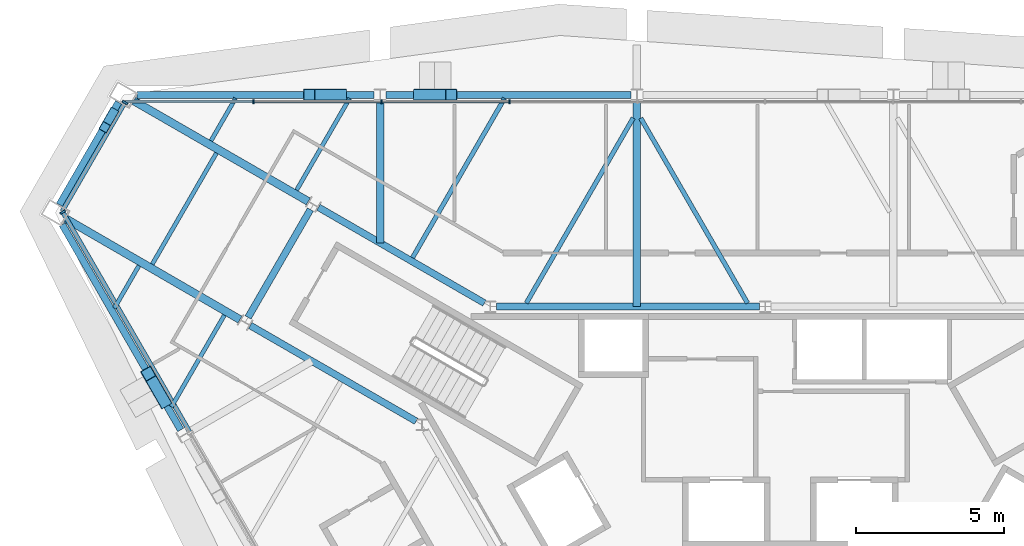
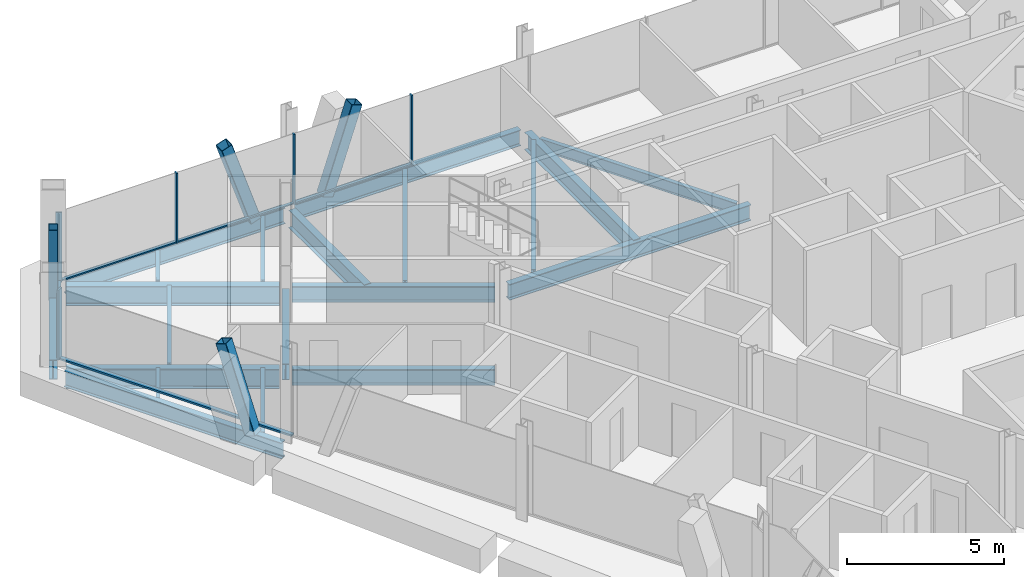
# One storey, part 5 of 13: 20 beams, 14 members, 3 elements without a shape of their own.
"""IFC4 building model written with IfcOpenShell, lengths in metres."""

from ifc_helpers import new_model, si_unit, direction, frame, origin, origin_2d, place, context, subcontext, project, spatial, rectangle, hollow_rectangle, i_section, extrude, material, material_profile, profile_set, type_object, element, aggregate, save


model = new_model("IFC4")

# Units and contexts
model_context = context("Model", 3, precision=1e-05, world=origin(), true_north=direction((0.0, 1.0)))
body_context = subcontext(model_context, "Body", "Model", "MODEL_VIEW")
ifc_project = project(units=[si_unit("LENGTHUNIT", "METRE"), si_unit("AREAUNIT", "SQUARE_METRE"), si_unit("VOLUMEUNIT", "CUBIC_METRE"), si_unit("PLANEANGLEUNIT", "RADIAN"), si_unit("MASSUNIT", "GRAM", prefix="KILO")], contexts=[model_context])

# Site, building, storey
site_placement = place(None, origin())
site = spatial("IfcSite", under=ifc_project, at=site_placement, CompositionType="ELEMENT")
building_placement = place(site_placement, origin())
building = spatial("IfcBuilding", under=site, at=building_placement, Name="Verrane Prism Tower", CompositionType="ELEMENT")
storey_placement = place(building_placement, frame((0.0, 0.0, 210.10009765625)))
storey = spatial("IfcBuildingStorey", under=building, at=storey_placement, Name="L52", CompositionType="ELEMENT", Elevation=210.10009765625)

# Member
ifc_material_1 = material(Name="Steel A500 Grade C", Category="steel")
ifc_material_profile_1 = material_profile(ifc_material_1, hollow_rectangle(XDim=0.3046875, YDim=0.3046875, WallThickness=0.0126953125, InnerFilletRadius=0.00634765625, OuterFilletRadius=0.01904296875, at=origin_2d()), Name="HSS12x12x1/2")
ifc_profile_set_1 = profile_set([ifc_material_profile_1], Name="Steel A500 Grade C")
member_type_1 = type_object("IfcMemberType", Name="Chamfer brace HSS12x12x1/2", PredefinedType="BRACE", material=ifc_profile_set_1)
member_1_placement = place(storey_placement, frame((-21.973388671875, 14.517578125, -0.24267578125), z_axis=(-0.087014926733, -0.150980566208, 0.984699584215), x_axis=(0.866407182577, -0.499338155942, 0.0)))
element("IfcMember", 1, at=member_1_placement, inside=storey, type_object=member_type_1, Name="Chamfer brace NW0 L52", PredefinedType="BRACE", context=body_context, shape_type="SweptSolid", body=[
    extrude(hollow_rectangle(XDim=0.3046875, YDim=0.3046875, WallThickness=0.0126953125, InnerFilletRadius=0.00634765625, OuterFilletRadius=0.01904296875, at=origin_2d()), origin(), (0.0, 0.0, 1.0), 3.156494140625),
])

# Beams
ifc_material_2 = material(Name="Steel A992", Category="steel")
ifc_material_profile_2 = material_profile(ifc_material_2, i_section(OverallWidth=0.2666015625, OverallDepth=0.7568359375, WebThickness=0.013916015625, FlangeThickness=0.019287109375, FilletRadius=0.0166015625, at=origin_2d()), Name="W30x108")
ifc_profile_set_2 = profile_set([ifc_material_profile_2], Name="Steel A992")
beam_type_1 = type_object("IfcBeamType", Name="Chamfer spandrel beam W30x108", PredefinedType="SPANDREL", material=ifc_profile_set_2)
beam_1_placement = place(storey_placement, frame((-21.77001953125, 14.8701171875, -0.53857421875), z_axis=(-0.499626934201, -0.866240686311, 0.0), x_axis=(0.866240686311, -0.499626934201, 0.0)))
element("IfcBeam", 2, at=beam_1_placement, inside=storey, type_object=beam_type_1, Name="Chamfer spandrel beam L52", PredefinedType="SPANDREL", context=body_context, shape_type="SweptSolid", body=[
    extrude(i_section(OverallWidth=0.2666015625, OverallDepth=0.7568359375, WebThickness=0.013916015625, FlangeThickness=0.019287109375, FilletRadius=0.0166015625, at=origin_2d()), origin(), (0.0, 0.0, 1.0), 3.98291015625),
])
ifc_material_3 = material(Name="Steel A992", Category="steel")
ifc_material_profile_3 = material_profile(ifc_material_3, i_section(OverallWidth=0.23046875, OverallDepth=0.6171875, WebThickness=0.01318359375, FlangeThickness=0.022216796875, FilletRadius=0.012939453125, at=origin_2d()), Name="W24x94")
ifc_profile_set_3 = profile_set([ifc_material_profile_3], Name="Steel A992")
beam_type_2 = type_object("IfcBeamType", Name="Core ring girder W24x94", PredefinedType="BEAM", material=ifc_profile_set_3)
beam_2_placement = place(storey_placement, frame((-0.199462890625, 8.0, -0.55859375), z_axis=(-1.0, 0.0, 0.0), x_axis=(0.0, -1.0, 0.0)))
element("IfcBeam", 3, at=beam_2_placement, inside=storey, type_object=beam_type_2, Name="Core ring girder L52", PredefinedType="BEAM", context=body_context, shape_type="SweptSolid", body=[
    extrude(i_section(OverallWidth=0.23046875, OverallDepth=0.6171875, WebThickness=0.01318359375, FlangeThickness=0.022216796875, FilletRadius=0.012939453125, at=origin_2d()), origin(), (0.0, 0.0, 1.0), 8.861083984375),
])
beam_3_placement = place(storey_placement, frame((-9.45947265625, 8.114990234375, -0.55859375), z_axis=(-0.866080992722, 0.499903704773, 0.0), x_axis=(-0.499903704773, -0.866080992722, 0.0)))
element("IfcBeam", 4, at=beam_3_placement, inside=storey, type_object=beam_type_2, Name="Core ring girder L52", PredefinedType="BEAM", context=body_context, shape_type="SweptSolid", body=[
    extrude(i_section(OverallWidth=0.23046875, OverallDepth=0.6171875, WebThickness=0.01318359375, FlangeThickness=0.022216796875, FilletRadius=0.012939453125, at=origin_2d()), origin(), (0.0, 0.0, 1.0), 6.451904296875),
])
beam_4_placement = place(storey_placement, frame((-15.3203125, 11.266357421875, -0.55859375), z_axis=(-0.500375511519, -0.865808493532, 0.0), x_axis=(0.865808493532, -0.500375511519, 0.0)))
element("IfcBeam", 5, at=beam_4_placement, inside=storey, type_object=beam_type_2, Name="Core ring girder L52", PredefinedType="BEAM", context=body_context, shape_type="SweptSolid", body=[
    extrude(i_section(OverallWidth=0.23046875, OverallDepth=0.6171875, WebThickness=0.01318359375, FlangeThickness=0.022216796875, FilletRadius=0.012939453125, at=origin_2d()), origin(), (0.0, 0.0, 1.0), 4.195556640625),
])
beam_5_placement = place(storey_placement, frame((-17.347412109375, 7.3603515625, -0.55859375), z_axis=(0.866080992722, -0.499903704773, 0.0), x_axis=(0.499903704773, 0.866080992722, 0.0)))
element("IfcBeam", 6, at=beam_5_placement, inside=storey, type_object=beam_type_2, Name="Core ring girder L52", PredefinedType="BEAM", context=body_context, shape_type="SweptSolid", body=[
    extrude(i_section(OverallWidth=0.23046875, OverallDepth=0.6171875, WebThickness=0.01318359375, FlangeThickness=0.022216796875, FilletRadius=0.012939453125, at=origin_2d()), origin(), (0.0, 0.0, 1.0), 6.451904296875),
])
ifc_material_4 = material(Name="Steel A992", Category="steel")
ifc_material_profile_4 = material_profile(ifc_material_4, i_section(OverallWidth=0.2666015625, OverallDepth=0.76708984375, WebThickness=0.014892578125, FlangeThickness=0.023681640625, FilletRadius=0.0166015625, at=origin_2d()), Name="W30x124")
ifc_profile_set_4 = profile_set([ifc_material_profile_4], Name="Steel A992")
beam_type_3 = type_object("IfcBeamType", Name="Corner girder W30x124", PredefinedType="BEAM", material=ifc_profile_set_4)
beam_6_placement = place(storey_placement, frame((-21.2734375, 14.93017578125, -0.603515625), z_axis=(0.866324462832, -0.499481656419, 0.0), x_axis=(0.499481656419, 0.866324462832, 0.0)))
element("IfcBeam", 7, at=beam_6_placement, inside=storey, type_object=beam_type_3, Name="Corner girder L52", PredefinedType="BEAM", context=body_context, shape_type="SweptSolid", body=[
    extrude(i_section(OverallWidth=0.2666015625, OverallDepth=0.76708984375, WebThickness=0.014892578125, FlangeThickness=0.023681640625, FilletRadius=0.0166015625, at=origin_2d()), origin(), (0.0, 0.0, 1.0), 6.788330078125),
])
beam_7_placement = place(storey_placement, frame((-23.563720703125, 10.959716796875, -0.603515625), z_axis=(0.865372078644, -0.501129888855, 0.0), x_axis=(0.501129888855, 0.865372078644, 0.0)))
element("IfcBeam", 8, at=beam_7_placement, inside=storey, type_object=beam_type_3, Name="Corner girder L52", PredefinedType="BEAM", context=body_context, shape_type="SweptSolid", body=[
    extrude(i_section(OverallWidth=0.2666015625, OverallDepth=0.76708984375, WebThickness=0.014892578125, FlangeThickness=0.023681640625, FilletRadius=0.0166015625, at=origin_2d()), origin(), (0.0, 0.0, 1.0), 6.784423828125),
])

# Members
ifc_material_5 = material(Name="Steel A500 Grade C", Category="steel")
ifc_material_profile_5 = material_profile(ifc_material_5, hollow_rectangle(XDim=0.406494140625, YDim=0.406494140625, WallThickness=0.01904296875, InnerFilletRadius=0.009521484375, OuterFilletRadius=0.028564453125, at=origin_2d()), Name="HSS16x16x3/4")
ifc_profile_set_5 = profile_set([ifc_material_profile_5], Name="Steel A500 Grade C")
member_type_2 = type_object("IfcMemberType", Name="Facade brace HSS16x16x3/4", PredefinedType="BRACE", material=ifc_profile_set_5)
for number, where, z_axis, x_axis, name in (
    (9, (-11.650146484375, 15.1298828125, -0.216796875), (0.316749354845, 0.0, 0.948509275761), (0.0, 1.0, 0.0), "Facade brace N3 L52"),
    (10, (-14.289794921875, 15.1298828125, -0.216796875), (-0.316814533261, 0.0, 0.948487507306), (0.0, -1.0, 0.0), "Facade brace N4 L52"),
):
    element("IfcMember", number, at=place(storey_placement, frame(where, z_axis=z_axis, x_axis=x_axis)), inside=storey, type_object=member_type_2, Name=name, PredefinedType="BRACE", context=body_context, shape_type="SweptSolid", body=[
        extrude(hollow_rectangle(XDim=0.406494140625, YDim=0.406494140625, WallThickness=0.01904296875, InnerFilletRadius=0.009521484375, OuterFilletRadius=0.028564453125, at=origin_2d()), origin(), (0.0, 0.0, 1.0), 3.369873046875),
    ])
member_2_placement = place(storey_placement, frame((-20.249267578125, 4.812744140625, -0.216796875), z_axis=(-0.158160452801, 0.274371797873, 0.948528011026), x_axis=(-0.866364537341, -0.499412142861, 0.0)))
element("IfcMember", 11, at=member_2_placement, inside=storey, type_object=member_type_2, Name="Facade brace SW0 L52", PredefinedType="BRACE", context=body_context, shape_type="SweptSolid", body=[
    extrude(hollow_rectangle(XDim=0.406494140625, YDim=0.406494140625, WallThickness=0.01904296875, InnerFilletRadius=0.009521484375, OuterFilletRadius=0.028564453125, at=origin_2d()), origin(), (0.0, 0.0, 1.0), 3.36962890625),
])

# Beams
ifc_material_6 = material(Name="Steel A992", Category="steel")
ifc_material_profile_6 = material_profile(ifc_material_6, i_section(OverallWidth=0.140380859375, OverallDepth=0.40380859375, WebThickness=0.007080078125, FlangeThickness=0.01123046875, FilletRadius=0.01025390625, at=origin_2d()), Name="W16x31")
ifc_profile_set_6 = profile_set([ifc_material_profile_6], Name="Steel A992")
beam_type_4 = type_object("IfcBeamType", Name="Floor beam W16x31", PredefinedType="BEAM", material=ifc_profile_set_6)
beam_8_placement = place(storey_placement, frame((-15.785888671875, 11.92041015625, -0.362060546875), z_axis=(0.500055614084, 0.865993292597, 0.0), x_axis=(-0.865993292597, 0.500055614084, 0.0)))
element("IfcBeam", 12, at=beam_8_placement, inside=storey, type_object=beam_type_4, Name="Floor beam L52", PredefinedType="BEAM", context=body_context, shape_type="SweptSolid", body=[
    extrude(i_section(OverallWidth=0.140380859375, OverallDepth=0.40380859375, WebThickness=0.007080078125, FlangeThickness=0.01123046875, FilletRadius=0.01025390625, at=origin_2d()), origin(), (0.0, 0.0, 1.0), 3.5732421875),
])
beam_9_placement = place(storey_placement, frame((-18.66943359375, 13.5830078125, -0.362060546875), z_axis=(0.499982354831, 0.866035590988, 0.0), x_axis=(-0.866035590988, 0.499982354831, 0.0)))
element("IfcBeam", 13, at=beam_9_placement, inside=storey, type_object=beam_type_4, Name="Floor beam L52", PredefinedType="BEAM", context=body_context, shape_type="SweptSolid", body=[
    extrude(i_section(OverallWidth=0.140380859375, OverallDepth=0.40380859375, WebThickness=0.007080078125, FlangeThickness=0.01123046875, FilletRadius=0.01025390625, at=origin_2d()), origin(), (0.0, 0.0, 1.0), 1.6533203125),
])
beam_10_placement = place(storey_placement, frame((-20.00341796875, 4.61669921875, -0.362060546875), z_axis=(0.500028168084, 0.866009140323, 0.0), x_axis=(-0.866009140323, 0.500028168084, 0.0)))
element("IfcBeam", 14, at=beam_10_placement, inside=storey, type_object=beam_type_4, Name="Floor beam L52", PredefinedType="BEAM", context=body_context, shape_type="SweptSolid", body=[
    extrude(i_section(OverallWidth=0.140380859375, OverallDepth=0.40380859375, WebThickness=0.007080078125, FlangeThickness=0.01123046875, FilletRadius=0.01025390625, at=origin_2d()), origin(), (0.0, 0.0, 1.0), 3.571533203125),
])
beam_11_placement = place(storey_placement, frame((-21.92333984375, 7.94580078125, -0.362060546875), z_axis=(0.499952654668, 0.866052736899, 0.0), x_axis=(-0.866052736899, 0.499952654668, 0.0)))
element("IfcBeam", 15, at=beam_11_placement, inside=storey, type_object=beam_type_4, Name="Floor beam L52", PredefinedType="BEAM", context=body_context, shape_type="SweptSolid", body=[
    extrude(i_section(OverallWidth=0.140380859375, OverallDepth=0.40380859375, WebThickness=0.007080078125, FlangeThickness=0.01123046875, FilletRadius=0.01025390625, at=origin_2d()), origin(), (0.0, 0.0, 1.0), 1.652587890625),
])
beam_12_placement = place(storey_placement, frame((-20.648193359375, 9.425537109375, -0.362060546875), z_axis=(0.499971774539, 0.866041699148, 0.0), x_axis=(-0.866041699148, 0.499971774539, 0.0)))
element("IfcBeam", 16, at=beam_12_placement, inside=storey, type_object=beam_type_4, Name="Floor beam L52", PredefinedType="BEAM", context=body_context, shape_type="SweptSolid", body=[
    extrude(i_section(OverallWidth=0.140380859375, OverallDepth=0.40380859375, WebThickness=0.007080078125, FlangeThickness=0.01123046875, FilletRadius=0.01025390625, at=origin_2d()), origin(), (0.0, 0.0, 1.0), 4.322998046875),
])
ifc_material_7 = material(Name="Steel A992", Category="steel")
ifc_material_profile_7 = material_profile(ifc_material_7, i_section(OverallWidth=0.15234375, OverallDepth=0.449462890625, WebThickness=0.007568359375, FlangeThickness=0.0107421875, FilletRadius=0.01025390625, at=origin_2d()), Name="W18x35")
ifc_profile_set_7 = profile_set([ifc_material_profile_7], Name="Steel A992")
beam_type_5 = type_object("IfcBeamType", Name="Floor beam W18x35", PredefinedType="BEAM", material=ifc_profile_set_7)
beam_13_placement = place(storey_placement, frame((-0.59619140625, 8.114990234375, -0.385009765625), z_axis=(-0.500004475467, 0.866022819857, 0.0), x_axis=(-0.866022819857, -0.500004475467, 0.0)))
element("IfcBeam", 17, at=beam_13_placement, inside=storey, type_object=beam_type_5, Name="Floor beam L52", PredefinedType="BEAM", context=body_context, shape_type="SweptSolid", body=[
    extrude(i_section(OverallWidth=0.15234375, OverallDepth=0.449462890625, WebThickness=0.007568359375, FlangeThickness=0.0107421875, FilletRadius=0.01025390625, at=origin_2d()), origin(), (0.0, 0.0, 1.0), 7.19384765625),
])
beam_14_placement = place(storey_placement, frame((-8.047119140625, 8.114990234375, -0.385009765625), z_axis=(0.499982693035, 0.866035395735, 0.0), x_axis=(-0.866035395735, 0.499982693035, 0.0)))
element("IfcBeam", 18, at=beam_14_placement, inside=storey, type_object=beam_type_5, Name="Floor beam L52", PredefinedType="BEAM", context=body_context, shape_type="SweptSolid", body=[
    extrude(i_section(OverallWidth=0.15234375, OverallDepth=0.449462890625, WebThickness=0.007568359375, FlangeThickness=0.0107421875, FilletRadius=0.01025390625, at=origin_2d()), origin(), (0.0, 0.0, 1.0), 7.200439453125),
])
beam_15_placement = place(storey_placement, frame((-11.88134765625, 9.644775390625, -0.385009765625), z_axis=(0.499988291006, 0.866032163869, 0.0), x_axis=(-0.866032163869, 0.499988291006, 0.0)))
element("IfcBeam", 19, at=beam_15_placement, inside=storey, type_object=beam_type_5, Name="Floor beam L52", PredefinedType="BEAM", context=body_context, shape_type="SweptSolid", body=[
    extrude(i_section(OverallWidth=0.15234375, OverallDepth=0.449462890625, WebThickness=0.007568359375, FlangeThickness=0.0107421875, FilletRadius=0.01025390625, at=origin_2d()), origin(), (0.0, 0.0, 1.0), 6.200927734375),
])

# Curtain wall, members
ifc_material_8 = material(Name="Aluminium framed insulated glazing", Category="aluminium")
curtain_wall_type_1 = type_object("IfcCurtainWallType", Name="Curtain wall CW-C 4200 module", PredefinedType="NOTDEFINED", material=ifc_material_8)
curtain_wall_1_placement = place(storey_placement, origin())
curtain_wall_1 = element("IfcCurtainWall", 20, at=curtain_wall_1_placement, inside=storey, type_object=curtain_wall_type_1, Name="Glazed curtain wall north face L52", PredefinedType="NOTDEFINED")
ifc_material_9 = material(Name="Aluminium alloy 6063-T6", Category="aluminium")
ifc_material_profile_8 = material_profile(ifc_material_9, rectangle(XDim=0.139892578125, YDim=0.050048828125, at=origin_2d()), Name="Mullion 50x140 aluminium")
ifc_profile_set_8 = profile_set([ifc_material_profile_8], Name="Aluminium alloy 6063-T6")
member_type_3 = type_object("IfcMemberType", Name="Mullion 50x140 aluminium", PredefinedType="MULLION", material=ifc_profile_set_8)
member_3_placement = place(storey_placement, frame((-8.620361328125, 14.90185546875, 0.0), z_axis=(0.0, 0.0, 1.0), x_axis=(0.0, -1.0, 0.0)))
member_3 = element("IfcMember", 21, at=member_3_placement, type_object=member_type_3, Name="CW51.2 mullion 8", PredefinedType="MULLION", context=body_context, shape_type="SweptSolid", body=[
    extrude(rectangle(XDim=0.139892578125, YDim=0.050048828125, at=origin_2d()), origin(), (0.0, 0.0, 1.0), 2.712890625),
])
member_4_placement = place(storey_placement, frame((-12.930419921875, 14.90185546875, 0.0), z_axis=(0.0, 0.0, 1.0), x_axis=(0.0, -1.0, 0.0)))
member_4 = element("IfcMember", 22, at=member_4_placement, type_object=member_type_3, Name="CW51.2 mullion 9", PredefinedType="MULLION", context=body_context, shape_type="SweptSolid", body=[
    extrude(rectangle(XDim=0.139892578125, YDim=0.050048828125, at=origin_2d()), origin(), (0.0, 0.0, 1.0), 2.712890625),
])
member_5_placement = place(storey_placement, frame((-17.24072265625, 14.90185546875, 0.0), z_axis=(0.0, 0.0, 1.0), x_axis=(0.0, -1.0, 0.0)))
member_5 = element("IfcMember", 23, at=member_5_placement, type_object=member_type_3, Name="CW51.2 mullion 10", PredefinedType="MULLION", context=body_context, shape_type="SweptSolid", body=[
    extrude(rectangle(XDim=0.139892578125, YDim=0.050048828125, at=origin_2d()), origin(), (0.0, 0.0, 1.0), 2.712890625),
])

# Curtain wall, member
ifc_material_10 = material(Name="Aluminium framed insulated glazing", Category="aluminium")
curtain_wall_type_2 = type_object("IfcCurtainWallType", Name="Curtain wall CW-A 8400 module", PredefinedType="NOTDEFINED", material=ifc_material_10)
curtain_wall_2_placement = place(storey_placement, origin())
curtain_wall_2 = element("IfcCurtainWall", 24, at=curtain_wall_2_placement, inside=storey, type_object=curtain_wall_type_2, Name="Glazed curtain wall north-west corner L52", PredefinedType="NOTDEFINED")
ifc_material_11 = material(Name="Aluminium alloy 6063-T6", Category="aluminium")
ifc_material_profile_9 = material_profile(ifc_material_11, rectangle(XDim=0.199951171875, YDim=0.070068359375, at=origin_2d()), Name="Mullion 70x200 aluminium")
ifc_profile_set_9 = profile_set([ifc_material_profile_9], Name="Aluminium alloy 6063-T6")
member_type_4 = type_object("IfcMemberType", Name="Mullion 70x200 aluminium", PredefinedType="MULLION", material=ifc_profile_set_9)
member_6_placement = place(storey_placement, frame((-21.568359375, 14.87158203125, 0.0), z_axis=(0.0, 0.0, 1.0), x_axis=(0.866025696345, -0.49999949327, 0.0)))
member_6 = element("IfcMember", 25, at=member_6_placement, type_object=member_type_4, Name="CW51.3 mullion 1", PredefinedType="MULLION", context=body_context, shape_type="SweptSolid", body=[
    extrude(rectangle(XDim=0.199951171875, YDim=0.070068359375, at=origin_2d()), origin(), (0.0, 0.0, 1.0), 2.712890625),
])

curtain_wall_3_placement = place(storey_placement, origin())
curtain_wall_3 = element("IfcCurtainWall", 26, at=curtain_wall_3_placement, inside=storey, type_object=curtain_wall_type_2, Name="Glazed curtain wall south-west face L52", PredefinedType="NOTDEFINED")
member_7_placement = place(storey_placement, frame((-23.6630859375, 11.182373046875, 0.0), z_axis=(0.0, 0.0, 1.0), x_axis=(0.866026096662, 0.499998799899, 0.0)))
member_7 = element("IfcMember", 27, at=member_7_placement, type_object=member_type_4, Name="CW51.4 mullion 1", PredefinedType="MULLION", context=body_context, shape_type="SweptSolid", body=[
    extrude(rectangle(XDim=0.199951171875, YDim=0.070068359375, at=origin_2d()), origin(), (0.0, 0.0, 1.0), 2.712890625),
])

# Beams
ifc_material_12 = material(Name="Steel A992", Category="steel")
ifc_material_profile_10 = material_profile(ifc_material_12, i_section(OverallWidth=0.25390625, OverallDepth=0.683349609375, WebThickness=0.012451171875, FlangeThickness=0.01904296875, FilletRadius=0.01513671875, at=origin_2d()), Name="W27x94")
ifc_profile_set_10 = profile_set([ifc_material_profile_10], Name="Steel A992")
beam_type_6 = type_object("IfcBeamType", Name="Radial girder W27x94", PredefinedType="BEAM", material=ifc_profile_set_10)
beam_16_placement = place(storey_placement, frame((-4.320068359375, 14.9306640625, -0.561767578125), z_axis=(0.0, -1.0, 0.0), x_axis=(1.0, 0.0, 0.0)))
element("IfcBeam", 28, at=beam_16_placement, inside=storey, type_object=beam_type_6, Name="Radial girder L52", PredefinedType="BEAM", context=body_context, shape_type="SweptSolid", body=[
    extrude(i_section(OverallWidth=0.25390625, OverallDepth=0.683349609375, WebThickness=0.012451171875, FlangeThickness=0.01904296875, FilletRadius=0.01513671875, at=origin_2d()), origin(), (0.0, 0.0, 1.0), 6.9306640625),
])
beam_17_placement = place(storey_placement, frame((-12.969970703125, 14.9306640625, -0.561767578125), z_axis=(0.0, -1.0, 0.0), x_axis=(1.0, 0.0, 0.0)))
element("IfcBeam", 29, at=beam_17_placement, inside=storey, type_object=beam_type_6, Name="Radial girder L52", PredefinedType="BEAM", context=body_context, shape_type="SweptSolid", body=[
    extrude(i_section(OverallWidth=0.25390625, OverallDepth=0.683349609375, WebThickness=0.012451171875, FlangeThickness=0.01904296875, FilletRadius=0.01513671875, at=origin_2d()), origin(), (0.0, 0.0, 1.0), 4.789306640625),
])
ifc_material_13 = material(Name="Steel A992", Category="steel")
ifc_material_profile_11 = material_profile(ifc_material_13, i_section(OverallWidth=0.23046875, OverallDepth=0.6171875, WebThickness=0.01318359375, FlangeThickness=0.022216796875, FilletRadius=0.012939453125, at=origin_2d()), Name="W24x94")
ifc_profile_set_11 = profile_set([ifc_material_profile_11], Name="Steel A992")
beam_type_7 = type_object("IfcBeamType", Name="Spandrel beam W24x94", PredefinedType="SPANDREL", material=ifc_profile_set_11)
beam_18_placement = place(storey_placement, frame((-4.520751953125, 15.1298828125, -0.46875), z_axis=(-1.0, 0.0, 0.0), x_axis=(0.0, -1.0, 0.0)))
element("IfcBeam", 30, at=beam_18_placement, inside=storey, type_object=beam_type_7, Name="Spandrel beam L52", PredefinedType="SPANDREL", context=body_context, shape_type="SweptSolid", body=[
    extrude(i_section(OverallWidth=0.23046875, OverallDepth=0.6171875, WebThickness=0.01318359375, FlangeThickness=0.022216796875, FilletRadius=0.012939453125, at=origin_2d()), origin(), (0.0, 0.0, 1.0), 8.24853515625),
])
beam_19_placement = place(storey_placement, frame((-13.170654296875, 15.1298828125, -0.46875), z_axis=(-1.0, 0.0, 0.0), x_axis=(0.0, -1.0, 0.0)))
element("IfcBeam", 31, at=beam_19_placement, inside=storey, type_object=beam_type_7, Name="Spandrel beam L52", PredefinedType="SPANDREL", context=body_context, shape_type="SweptSolid", body=[
    extrude(i_section(OverallWidth=0.23046875, OverallDepth=0.6171875, WebThickness=0.01318359375, FlangeThickness=0.022216796875, FilletRadius=0.012939453125, at=origin_2d()), origin(), (0.0, 0.0, 1.0), 7.987548828125),
])
beam_20_placement = place(storey_placement, frame((-23.67919921875, 10.759765625, -0.46875), z_axis=(0.499628915067, -0.866239543792, 0.0), x_axis=(0.866239543792, 0.499628915067, 0.0)))
element("IfcBeam", 32, at=beam_20_placement, inside=storey, type_object=beam_type_7, Name="Spandrel beam L52", PredefinedType="SPANDREL", context=body_context, shape_type="SweptSolid", body=[
    extrude(i_section(OverallWidth=0.23046875, OverallDepth=0.6171875, WebThickness=0.01318359375, FlangeThickness=0.022216796875, FilletRadius=0.012939453125, at=origin_2d()), origin(), (0.0, 0.0, 1.0), 7.98388671875),
])

# Member
ifc_material_14 = material(Name="Aluminium alloy 6063-T6", Category="aluminium")
ifc_material_profile_12 = material_profile(ifc_material_14, rectangle(XDim=0.10009765625, YDim=0.050048828125, at=origin_2d()), Name="Transom 50x100 aluminium")
ifc_profile_set_12 = profile_set([ifc_material_profile_12], Name="Aluminium alloy 6063-T6")
member_type_5 = type_object("IfcMemberType", Name="Transom 50x100 aluminium", PredefinedType="USERDEFINED", material=ifc_profile_set_12)
member_8_placement = place(storey_placement, frame((-8.645263671875, 14.90185546875, 0.02490234375), z_axis=(-1.0, 0.0, 0.0), x_axis=(0.0, -1.0, 0.0)))
member_8 = element("IfcMember", 33, at=member_8_placement, type_object=member_type_5, Name="CW51.2 transom 8", ObjectType="TRANSOM", PredefinedType="USERDEFINED", context=body_context, shape_type="SweptSolid", body=[
    extrude(rectangle(XDim=0.10009765625, YDim=0.050048828125, at=origin_2d()), origin(), (0.0, 0.0, 1.0), 4.26025390625),
])

member_9_placement = place(storey_placement, frame((-12.95556640625, 14.90185546875, 0.02490234375), z_axis=(-1.0, 0.0, 0.0), x_axis=(0.0, -1.0, 0.0)))
member_9 = element("IfcMember", 34, at=member_9_placement, type_object=member_type_5, Name="CW51.2 transom 9", ObjectType="TRANSOM", PredefinedType="USERDEFINED", context=body_context, shape_type="SweptSolid", body=[
    extrude(rectangle(XDim=0.10009765625, YDim=0.050048828125, at=origin_2d()), origin(), (0.0, 0.0, 1.0), 4.260009765625),
])

member_10_placement = place(storey_placement, frame((-17.265625, 14.90185546875, 0.02490234375), z_axis=(-1.0, 0.0, 0.0), x_axis=(0.0, -1.0, 0.0)))
member_10 = element("IfcMember", 35, at=member_10_placement, type_object=member_type_5, Name="CW51.2 transom 10", ObjectType="TRANSOM", PredefinedType="USERDEFINED", context=body_context, shape_type="SweptSolid", body=[
    extrude(rectangle(XDim=0.10009765625, YDim=0.050048828125, at=origin_2d()), origin(), (0.0, 0.0, 1.0), 4.28515625),
])

aggregate(curtain_wall_1, [member_3, member_4, member_5, member_8, member_9, member_10])

ifc_material_15 = material(Name="Aluminium alloy 6063-T6", Category="aluminium")
ifc_material_profile_13 = material_profile(ifc_material_15, rectangle(XDim=0.14990234375, YDim=0.070068359375, at=origin_2d()), Name="Transom 70x150 aluminium")
ifc_profile_set_13 = profile_set([ifc_material_profile_13], Name="Aluminium alloy 6063-T6")
member_type_6 = type_object("IfcMemberType", Name="Transom 70x150 aluminium", PredefinedType="USERDEFINED", material=ifc_profile_set_13)
member_11_placement = place(storey_placement, frame((-21.585693359375, 14.841064453125, 0.034912109375), z_axis=(-0.500018368146, -0.86601479867, 0.0), x_axis=(0.86601479867, -0.500018368146, 0.0)))
member_11 = element("IfcMember", 36, at=member_11_placement, type_object=member_type_6, Name="CW51.3 transom 1", ObjectType="TRANSOM", PredefinedType="USERDEFINED", context=body_context, shape_type="SweptSolid", body=[
    extrude(rectangle(XDim=0.14990234375, YDim=0.070068359375, at=origin_2d()), origin(), (0.0, 0.0, 1.0), 4.189697265625),
])

aggregate(curtain_wall_2, [member_6, member_11])

member_12_placement = place(storey_placement, frame((-23.645751953125, 11.152099609375, 0.034912109375), z_axis=(0.500011993549, -0.866018479195, 0.0), x_axis=(0.866018479195, 0.500011993549, 0.0)))
member_12 = element("IfcMember", 37, at=member_12_placement, type_object=member_type_6, Name="CW51.4 transom 1", ObjectType="TRANSOM", PredefinedType="USERDEFINED", context=body_context, shape_type="SweptSolid", body=[
    extrude(rectangle(XDim=0.14990234375, YDim=0.070068359375, at=origin_2d()), origin(), (0.0, 0.0, 1.0), 8.515380859375),
])

aggregate(curtain_wall_3, [member_7, member_12])

save(model, "model.ifc")
